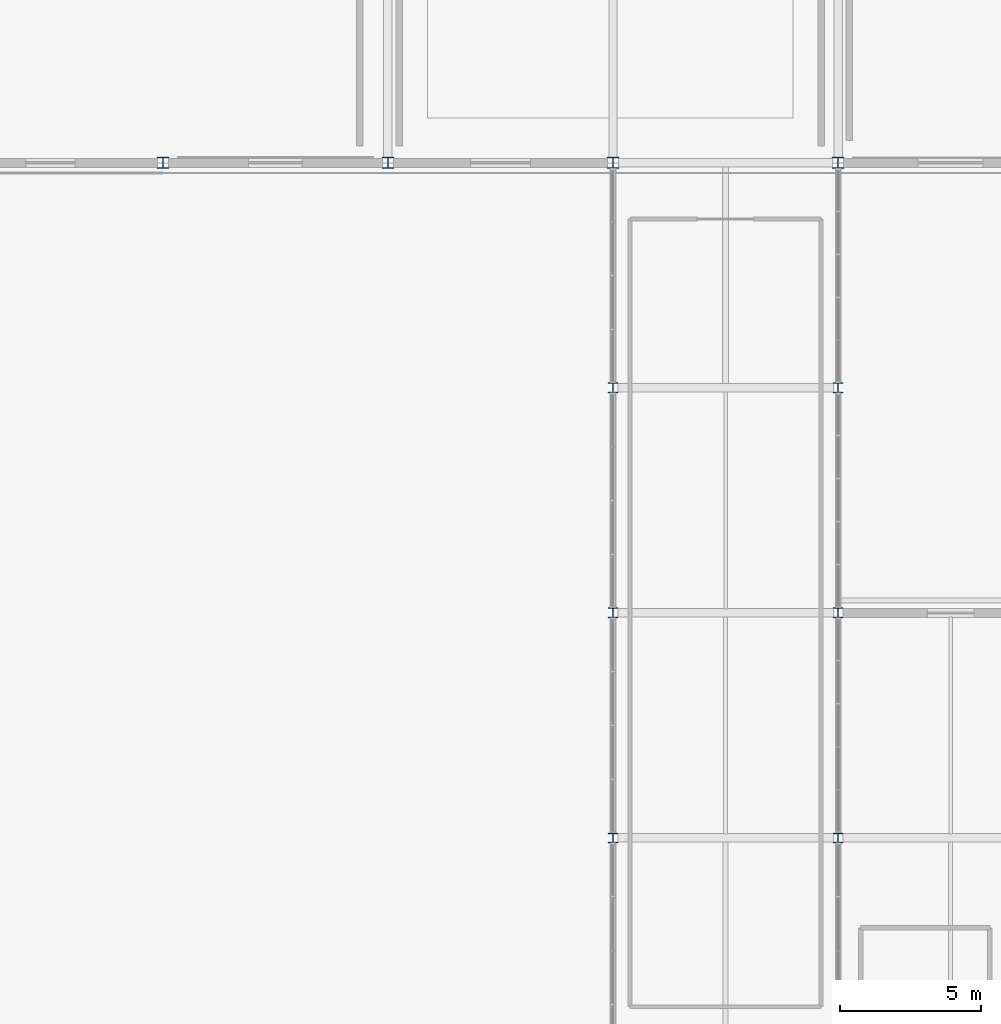
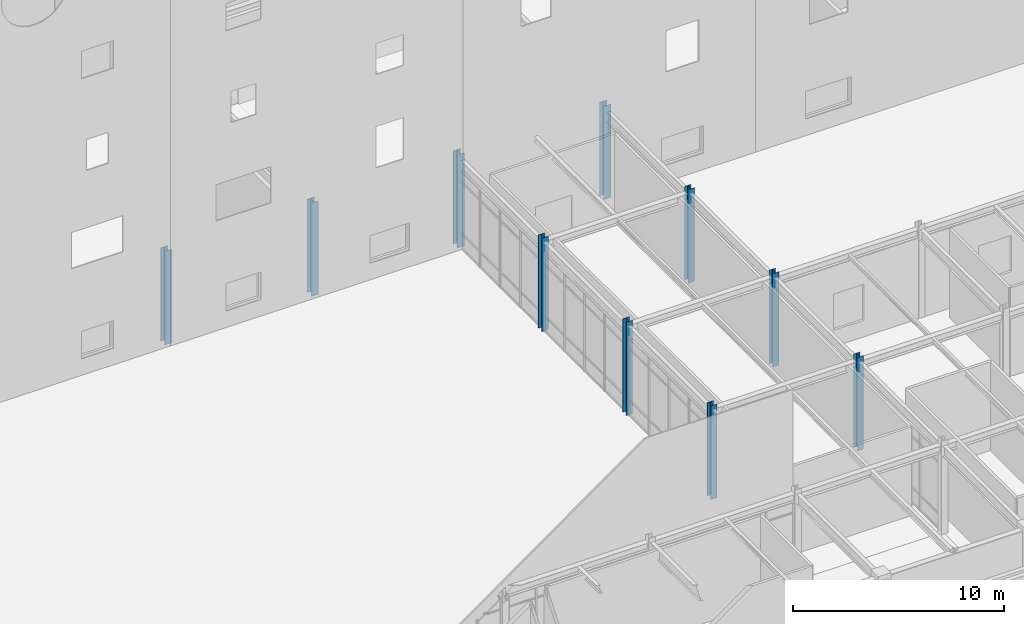
# One storey, part 9 of 119: 10 columns.
"""IFC4 building model written with IfcOpenShell, lengths in metres."""

import ifcopenshell
import ifcopenshell.guid

model = None  # the IFC model being written
_history = None  # IfcOwnerHistory: only IFC2X3 demands one
_inside = {}  # id of a spatial element -> (the spatial element, [elements in it])
_under = {}  # id of a project, library or spatial element -> (it, [spatial elements below it])
_declared = {}  # id of a project -> (the project, [libraries it declares])
_typed = {}  # id of a type object -> (the type object, [elements of that type])
_made_of = {}  # id of a material, layer set ... -> (it, [elements and type objects made of it])


def new_model(schema):
    """Start an empty IFC model of exactly this schema.

    Asked for "IFC4X3", IfcOpenShell would pick the latest addendum, in which some entities
    have other attributes; the version numbers below select the first issue.
    IFC2X3 requires an IfcOwnerHistory on every rooted entity: one is made here for all.
    """
    global model, _history
    if schema == "IFC4X3":
        model = ifcopenshell.file(schema_version=(4, 3, 0, 0))
    else:
        model = ifcopenshell.file(schema=schema)
    _inside.clear()
    _under.clear()
    _declared.clear()
    _typed.clear()
    _made_of.clear()
    _history = None
    if model.schema == "IFC2X3":
        org = make("IfcOrganization", Name="unknown")
        user = make(
            "IfcPersonAndOrganization",
            ThePerson=make("IfcPerson", FamilyName="unknown"),
            TheOrganization=org,
        )
        app = make(
            "IfcApplication",
            ApplicationDeveloper=org,
            Version="unknown",
            ApplicationFullName="unknown",
            ApplicationIdentifier="unknown",
        )
        _history = make(
            "IfcOwnerHistory",
            OwningUser=user,
            OwningApplication=app,
            ChangeAction="ADDED",
            CreationDate=0,
        )
    return model


def make(cls, **values):
    """One entity of the class cls with the attributes given. An attribute that is None is left unset."""
    return model.create_entity(
        cls, **{name: value for name, value in values.items() if value is not None}
    )


def rooted(cls, **values):
    """An entity with a GlobalId (a new one), such as an element, a storey or a relation."""
    return make(cls, GlobalId=ifcopenshell.guid.new(), OwnerHistory=_history, **values)


def si_unit(unit_type, name, prefix=None):
    """IfcSIUnit, for example si_unit("LENGTHUNIT", "METRE", prefix="MILLI")."""
    return make("IfcSIUnit", UnitType=unit_type, Prefix=prefix, Name=name)


def assignment(units):
    """IfcUnitAssignment: the units of a project."""
    return None if units is None else make("IfcUnitAssignment", Units=units)


def point(xyz):
    """IfcCartesianPoint."""
    return None if xyz is None else make("IfcCartesianPoint", Coordinates=xyz)


def direction(xyz):
    """IfcDirection."""
    return None if xyz is None else make("IfcDirection", DirectionRatios=xyz)


def frame(location, z_axis=None, x_axis=None):
    """IfcAxis2Placement3D, a coordinate frame: its origin and axes. An axis left out is left unset."""
    return make(
        "IfcAxis2Placement3D",
        Location=point(location),
        Axis=direction(z_axis),
        RefDirection=direction(x_axis),
    )


def frame_2d(location, x_axis=None):
    """IfcAxis2Placement2D, a coordinate frame in the plane: its origin and x axis."""
    return make(
        "IfcAxis2Placement2D", Location=point(location), RefDirection=direction(x_axis)
    )


def origin():
    """The frame at (0, 0, 0) with its axes left unset."""
    return frame((0.0, 0.0, 0.0))


def origin_2d():
    """The frame at (0, 0) in the plane with its x axis left unset."""
    return frame_2d((0.0, 0.0))


def place(relative_to, where):
    """IfcLocalPlacement: puts the frame where relative to a parent placement (None: the world)."""
    return make(
        "IfcLocalPlacement", PlacementRelTo=relative_to, RelativePlacement=where
    )


def context(
    kind, dimensions, precision=None, world=None, true_north=None, identifier=None
):
    """IfcGeometricRepresentationContext, for example the 3D "Model" context."""
    return make(
        "IfcGeometricRepresentationContext",
        ContextIdentifier=identifier,
        ContextType=kind,
        CoordinateSpaceDimension=dimensions,
        Precision=precision,
        WorldCoordinateSystem=world,
        TrueNorth=true_north,
    )


def subcontext(parent, identifier, kind, view, scale=None):
    """IfcGeometricRepresentationSubContext, for example "Body" below "Model"."""
    return make(
        "IfcGeometricRepresentationSubContext",
        ContextIdentifier=identifier,
        ContextType=kind,
        ParentContext=parent,
        TargetScale=scale,
        TargetView=view,
    )


def project(units=None, contexts=None):
    """IfcProject with its units and contexts."""
    return rooted(
        "IfcProject",
        Name="project",
        RepresentationContexts=contexts,
        UnitsInContext=assignment(units),
    )


def spatial(cls, under=None, at=None, **own):
    """A site, building, storey or space (cls), placed at a placement, below another one or the project."""
    s = rooted(cls, ObjectPlacement=at, **own)
    if under is not None:
        _under.setdefault(under.id(), (under, []))[1].append(s)
    return s


def profile(cls, at=None, kind="AREA", **sizes):
    """A parametric profile (cls). Its sizes go by their IFC names, for example OverallWidth=200.0."""
    return make(cls, ProfileType=kind, Position=at, **sizes)


def i_section(**sizes):
    """IfcIShapeProfileDef."""
    return profile("IfcIShapeProfileDef", **sizes)


def extrude(swept, where, along, depth):
    """IfcExtrudedAreaSolid: the profile swept, set in the frame where, extruded along a direction by depth."""
    return make(
        "IfcExtrudedAreaSolid",
        SweptArea=swept,
        Position=where,
        ExtrudedDirection=direction(along),
        Depth=depth,
    )


def shape(context_of_items, identifier, shape_type, items):
    """IfcShapeRepresentation: the items that make up one representation, for example the "Body"."""
    return make(
        "IfcShapeRepresentation",
        ContextOfItems=context_of_items,
        RepresentationIdentifier=identifier,
        RepresentationType=shape_type,
        Items=items,
    )


def material(Name=None, Category=None):
    """IfcMaterial."""
    return make("IfcMaterial", Name=Name, Category=Category)


def material_profile(
    of_material, cross_section, Name=None, Category=None, Priority=None
):
    """IfcMaterialProfile: a cross section and its material."""
    return make(
        "IfcMaterialProfile",
        Name=Name,
        Material=of_material,
        Profile=cross_section,
        Priority=Priority,
        Category=Category,
    )


def profile_set(profiles, Name=None, composite=None):
    """IfcMaterialProfileSet."""
    return make(
        "IfcMaterialProfileSet",
        Name=Name,
        MaterialProfiles=profiles,
        CompositeProfile=composite,
    )


def made_of(thing, what):
    """Note that an element or type object is made of a material, layer set ...; save() writes the relation."""
    if what is not None:
        _made_of.setdefault(what.id(), (what, []))[1].append(thing)
    return thing


def type_object(cls, material=None, **own):
    """A type object (cls), such as IfcWallType, which elements share."""
    return made_of(rooted(cls, **own), material)


def element(
    cls,
    number,
    at=None,
    inside=None,
    cuts=None,
    type_object=None,
    material=None,
    context=None,
    identifier="Body",
    shape_type=None,
    held_by="IfcProductDefinitionShape",
    body=None,
    shapes=None,
    **own,
):
    """One element of the class cls, such as IfcWall. Its Tag is "e" and its number.

    at: its placement. inside: the storey or other place that contains it. cuts: it is an
    opening in that element (IfcRelVoidsElement). A single representation is given by context,
    identifier, shape_type and body (its items); several are given by shapes. held_by: the class
    of the entity that holds the representations. save() writes the other relations.
    """
    e = rooted(cls, Tag="e%d" % number, ObjectPlacement=at, **own)
    if body is not None:
        shapes = [shape(context, identifier, shape_type, body)]
    if shapes is not None:
        e.Representation = make(held_by, Representations=shapes)
    if inside is not None:
        _inside.setdefault(inside.id(), (inside, []))[1].append(e)
    if cuts is not None:
        rooted(
            "IfcRelVoidsElement", RelatingBuildingElement=cuts, RelatedOpeningElement=e
        )
    if type_object is not None:
        _typed.setdefault(type_object.id(), (type_object, []))[1].append(e)
    return made_of(e, material)


def aggregate(whole, parts):
    """IfcRelAggregates: a whole, such as a stair, and the parts it consists of."""
    return rooted("IfcRelAggregates", RelatingObject=whole, RelatedObjects=parts)


def save(model, path):
    """Write the relations noted so far, then the file.

    IfcRelAggregates (storeys below a building ...), IfcRelContainedInSpatialStructure (elements
    in a storey), IfcRelDefinesByType, IfcRelAssociatesMaterial and IfcRelDeclares: one each for
    every whole, place, type object, material and project.
    """
    for whole, parts in _under.values():
        aggregate(whole, parts)
    for where, things in _inside.values():
        rooted(
            "IfcRelContainedInSpatialStructure",
            RelatedElements=things,
            RelatingStructure=where,
        )
    for kind, things in _typed.values():
        rooted("IfcRelDefinesByType", RelatedObjects=things, RelatingType=kind)
    for what, things in _made_of.values():
        rooted("IfcRelAssociatesMaterial", RelatedObjects=things, RelatingMaterial=what)
    for by, libraries in _declared.values():
        rooted("IfcRelDeclares", RelatingContext=by, RelatedDefinitions=libraries)
    model.write(path)


model = new_model("IFC4")

# Units and contexts
model_context = context("Model", 3, precision=1e-05, world=origin(), true_north=direction((0.0, 1.0)))
body_context = subcontext(model_context, "Body", "Model", "MODEL_VIEW")
ifc_project = project(units=[si_unit("LENGTHUNIT", "METRE"), si_unit("AREAUNIT", "SQUARE_METRE"), si_unit("VOLUMEUNIT", "CUBIC_METRE"), si_unit("PLANEANGLEUNIT", "RADIAN"), si_unit("MASSUNIT", "GRAM", prefix="KILO")], contexts=[model_context])

# Site, building, storey
site_placement = place(None, origin())
site = spatial("IfcSite", under=ifc_project, at=site_placement, CompositionType="ELEMENT")
building_placement = place(site_placement, origin())
building = spatial("IfcBuilding", under=site, at=building_placement, Name="Zhaolan Boulevard Law Courts", CompositionType="ELEMENT")
storey_placement = place(building_placement, origin())
storey = spatial("IfcBuildingStorey", under=building, at=storey_placement, Name="L00", CompositionType="ELEMENT", Elevation=0.0)

# Columns
ifc_material_1 = material(Name="Structural steel Q355B", Category="steel")
ifc_material_profile_1 = material_profile(ifc_material_1, i_section(OverallWidth=0.35009765625, OverallDepth=0.35009765625, WebThickness=0.011962890625, FlangeThickness=0.01904296875, FilletRadius=0.02001953125, at=origin_2d()), Name="HW350x350")
ifc_profile_set_1 = profile_set([ifc_material_profile_1], Name="Structural steel Q355B")
column_type_1 = type_object("IfcColumnType", Name="COL HW350", PredefinedType="COLUMN", material=ifc_profile_set_1)
for number, where, z_axis, x_axis, name in (
    (1, (116.0, 38.0, 0.0), (0.0, 0.0, 1.0), (1.0, 0.0, 0.0), "Column C-15F (L00)"),
    (2, (116.0, 46.0, 0.0), (0.0, 0.0, 1.0), (1.0, 0.0, 0.0), "Column C-15G (L00)"),
    (3, (116.0, 54.0, 0.0), (0.0, 0.0, 1.0), (1.0, 0.0, 0.0), "Column C-15H (L00)"),
    (4, (124.0, 38.0, 0.0), (0.0, 0.0, 1.0), (1.0, 0.0, 0.0), "Column C-16F (L00)"),
    (5, (124.0, 46.0, 0.0), (0.0, 0.0, 1.0), (1.0, 0.0, 0.0), "Column C-16G (L00)"),
    (6, (124.0, 54.0, 0.0), (0.0, 0.0, 1.0), (1.0, 0.0, 0.0), "Column C-16H (L00)"),
):
    element("IfcColumn", number, at=place(storey_placement, frame(where, z_axis=z_axis, x_axis=x_axis)), inside=storey, type_object=column_type_1, Name=name, PredefinedType="COLUMN", context=body_context, shape_type="SweptSolid", body=[
        extrude(i_section(OverallWidth=0.35009765625, OverallDepth=0.35009765625, WebThickness=0.011962890625, FlangeThickness=0.01904296875, FilletRadius=0.02001953125, at=origin_2d()), origin(), (0.0, 0.0, 1.0), 5.39990234375),
    ])
ifc_material_2 = material(Name="Structural steel Q390B", Category="steel")
ifc_material_profile_2 = material_profile(ifc_material_2, i_section(OverallWidth=0.39990234375, OverallDepth=0.39990234375, WebThickness=0.012939453125, FlangeThickness=0.02099609375, FilletRadius=0.02197265625, at=origin_2d()), Name="HW400x400")
ifc_profile_set_2 = profile_set([ifc_material_profile_2], Name="Structural steel Q390B")
column_type_2 = type_object("IfcColumnType", Name="COL HW400", PredefinedType="COLUMN", material=ifc_profile_set_2)
for number, where, z_axis, x_axis, name in (
    (7, (100.0, 62.0, 0.0), (0.0, 0.0, 1.0), (1.0, 0.0, 0.0), "Column C-13J (L00)"),
    (8, (108.0, 62.0, 0.0), (0.0, 0.0, 1.0), (1.0, 0.0, 0.0), "Column C-14J (L00)"),
    (9, (116.0, 62.0, 0.0), (0.0, 0.0, 1.0), (1.0, 0.0, 0.0), "Column C-15J (L00)"),
    (10, (124.0, 62.0, 0.0), (0.0, 0.0, 1.0), (1.0, 0.0, 0.0), "Column C-16J (L00)"),
):
    element("IfcColumn", number, at=place(storey_placement, frame(where, z_axis=z_axis, x_axis=x_axis)), inside=storey, type_object=column_type_2, Name=name, PredefinedType="COLUMN", context=body_context, shape_type="SweptSolid", body=[
        extrude(i_section(OverallWidth=0.39990234375, OverallDepth=0.39990234375, WebThickness=0.012939453125, FlangeThickness=0.02099609375, FilletRadius=0.02197265625, at=origin_2d()), origin(), (0.0, 0.0, 1.0), 5.39990234375),
    ])

save(model, "model.ifc")
